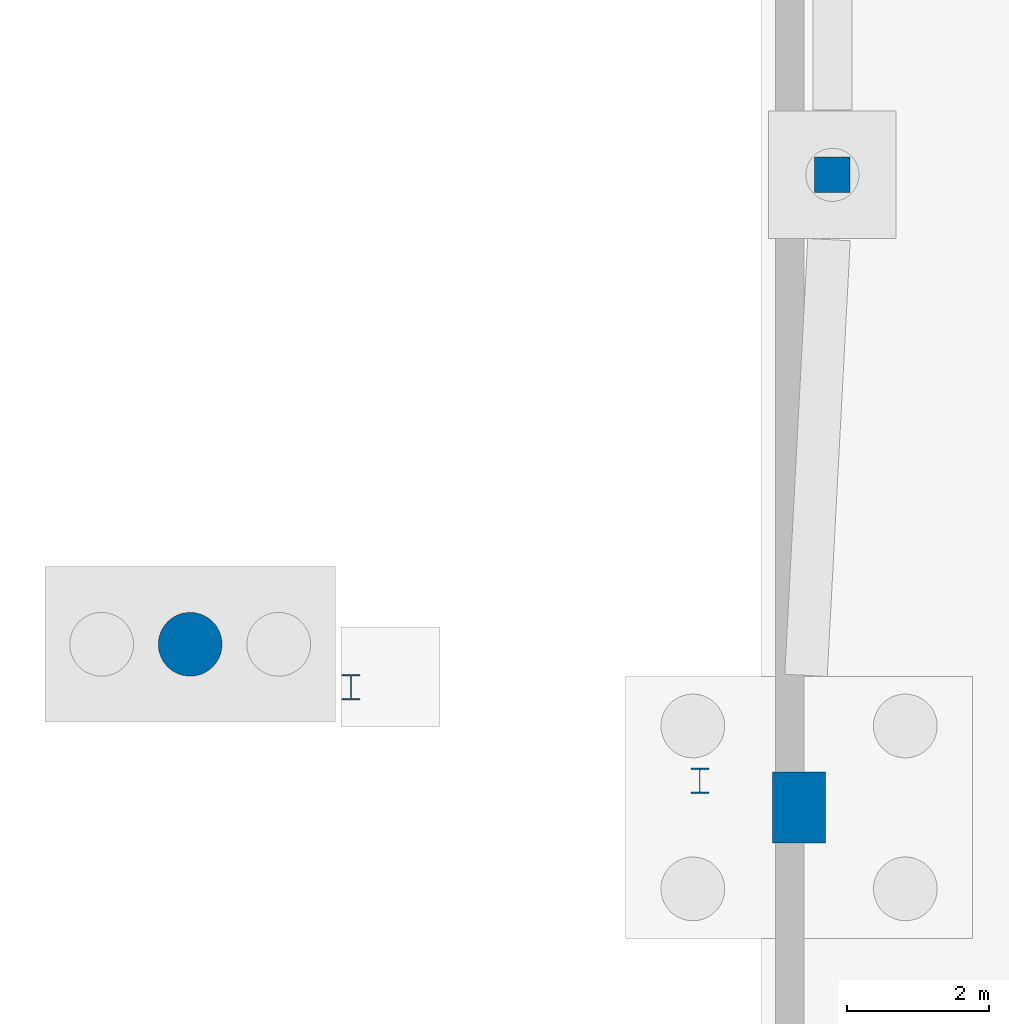
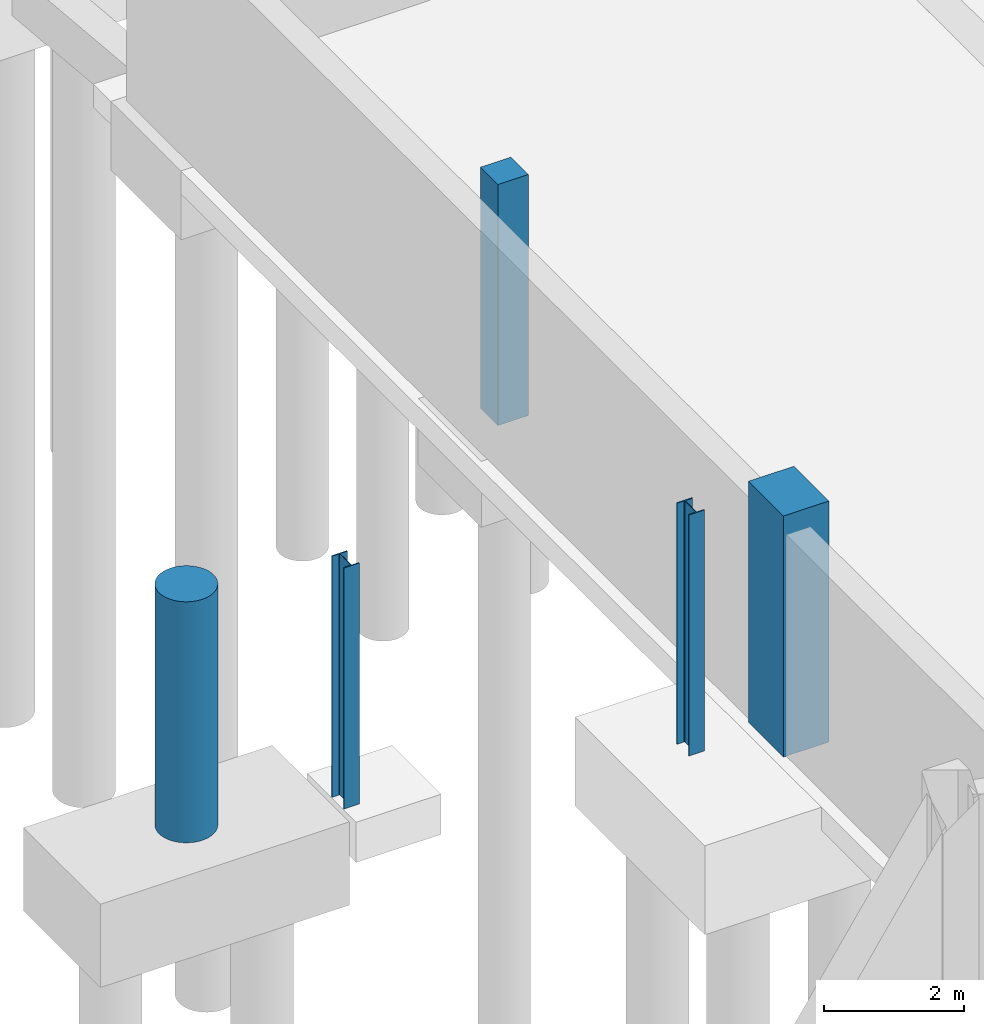
# One storey, part 15 of 43: 5 columns.
"""IFC4 building model written with IfcOpenShell, lengths in metres."""

from ifc_helpers import new_model, si_unit, direction, frame, origin, origin_2d, place, context, subcontext, project, spatial, rectangle, circle, i_section, extrude, material, material_profile, profile_set, type_object, element, save


model = new_model("IFC4")

# Units and contexts
model_context = context("Model", 3, precision=1e-05, world=origin(), true_north=direction((0.0, 1.0)))
body_context = subcontext(model_context, "Body", "Model", "MODEL_VIEW")
ifc_project = project(units=[si_unit("LENGTHUNIT", "METRE"), si_unit("AREAUNIT", "SQUARE_METRE"), si_unit("VOLUMEUNIT", "CUBIC_METRE"), si_unit("PLANEANGLEUNIT", "RADIAN"), si_unit("MASSUNIT", "GRAM", prefix="KILO")], contexts=[model_context])

# Site, building, storey
site_placement = place(None, origin())
site = spatial("IfcSite", under=ifc_project, at=site_placement, CompositionType="ELEMENT")
building_placement = place(site_placement, origin())
building = spatial("IfcBuilding", under=site, at=building_placement, Name="Vespera Passage Community Centre", CompositionType="ELEMENT")
storey_placement = place(building_placement, frame((0.0, 0.0, -4.199951171875)))
storey = spatial("IfcBuildingStorey", under=building, at=storey_placement, Name="B1", CompositionType="ELEMENT", Elevation=-4.199951171875)

# Columns
ifc_material_1 = material(Name="Concrete f'c 45 MPa", Category="concrete")
ifc_material_profile_1 = material_profile(ifc_material_1, rectangle(XDim=0.75, YDim=1.0, at=origin_2d()), Name="RC1000X750")
ifc_profile_set_1 = profile_set([ifc_material_profile_1], Name="Concrete f'c 45 MPa")
column_type_1 = type_object("IfcColumnType", Name="COL-RC1000X750E", PredefinedType="COLUMN", material=ifc_profile_set_1)
column_1_placement = place(storey_placement, frame((122.529296875, 53.568359375, 0.0), z_axis=(0.0, 0.0, 1.0), x_axis=(1.0, 0.0, 0.0)))
element("IfcColumn", 1, at=column_1_placement, inside=storey, type_object=column_type_1, Name="B1 Column V4-O23", PredefinedType="COLUMN", context=body_context, shape_type="SweptSolid", body=[
    extrude(rectangle(XDim=0.75, YDim=1.0, at=origin_2d()), origin(), (0.0, 0.0, 1.0), 4.199951171875),
])
ifc_material_2 = material(Name="Concrete f'c 45 MPa", Category="concrete")
ifc_material_profile_2 = material_profile(ifc_material_2, rectangle(XDim=0.5, YDim=0.5, at=origin_2d()), Name="RC500X500")
ifc_profile_set_2 = profile_set([ifc_material_profile_2], Name="Concrete f'c 45 MPa")
column_type_2 = type_object("IfcColumnType", Name="COL-RC500I", PredefinedType="COLUMN", material=ifc_profile_set_2)
column_2_placement = place(storey_placement, frame((123.0, 62.5, 0.0), z_axis=(0.0, 0.0, 1.0), x_axis=(1.0, 0.0, 0.0)))
element("IfcColumn", 2, at=column_2_placement, inside=storey, type_object=column_type_2, Name="B1 Column GAR-C13", PredefinedType="COLUMN", context=body_context, shape_type="SweptSolid", body=[
    extrude(rectangle(XDim=0.5, YDim=0.5, at=origin_2d()), origin(), (0.0, 0.0, 1.0), 4.199951171875),
])
ifc_material_3 = material(Name="Concrete f'c 45 MPa", Category="concrete")
ifc_material_profile_3 = material_profile(ifc_material_3, circle(Radius=0.449951171875, at=origin_2d()), Name="RC900DIA")
ifc_profile_set_3 = profile_set([ifc_material_profile_3], Name="Concrete f'c 45 MPa")
column_type_3 = type_object("IfcColumnType", Name="COL-RC900DIAE", PredefinedType="COLUMN", material=ifc_profile_set_3)
column_3_placement = place(storey_placement, frame((113.932373046875, 55.871826171875, 0.0), z_axis=(0.0, 0.0, 1.0), x_axis=(1.0, 0.0, 0.0)))
element("IfcColumn", 3, at=column_3_placement, inside=storey, type_object=column_type_3, Name="B1 Column V4-I23", PredefinedType="COLUMN", context=body_context, shape_type="SweptSolid", body=[
    extrude(circle(Radius=0.449951171875, at=origin_2d()), origin(), (0.0, 0.0, 1.0), 4.199951171875),
])
ifc_material_4 = material(Name="Steel ASTM A992 Grade 50", Category="steel")
ifc_material_profile_4 = material_profile(ifc_material_4, i_section(OverallWidth=0.2548828125, OverallDepth=0.356689453125, WebThickness=0.010498046875, FlangeThickness=0.018310546875, FilletRadius=0.01513671875, at=origin_2d()), Name="W14X68")
ifc_profile_set_4 = profile_set([ifc_material_profile_4], Name="Steel ASTM A992 Grade 50")
column_type_4 = type_object("IfcColumnType", Name="COL-W14X68I", PredefinedType="COLUMN", material=ifc_profile_set_4)
for number, where, z_axis, x_axis, name in (
    (4, (116.202392578125, 55.263671875, 0.0), (0.0, 0.0, 1.0), (1.0, 0.0, 0.0), "B1 Column TRANC-I230"),
    (5, (121.128662109375, 53.943603515625, 0.0), (0.0, 0.0, 1.0), (1.0, 0.0, 0.0), "B1 Column TRANC-O230"),
):
    element("IfcColumn", number, at=place(storey_placement, frame(where, z_axis=z_axis, x_axis=x_axis)), inside=storey, type_object=column_type_4, Name=name, PredefinedType="COLUMN", context=body_context, shape_type="SweptSolid", body=[
        extrude(i_section(OverallWidth=0.2548828125, OverallDepth=0.356689453125, WebThickness=0.010498046875, FlangeThickness=0.018310546875, FilletRadius=0.01513671875, at=origin_2d()), origin(), (0.0, 0.0, 1.0), 4.199951171875),
    ])

save(model, "model.ifc")
